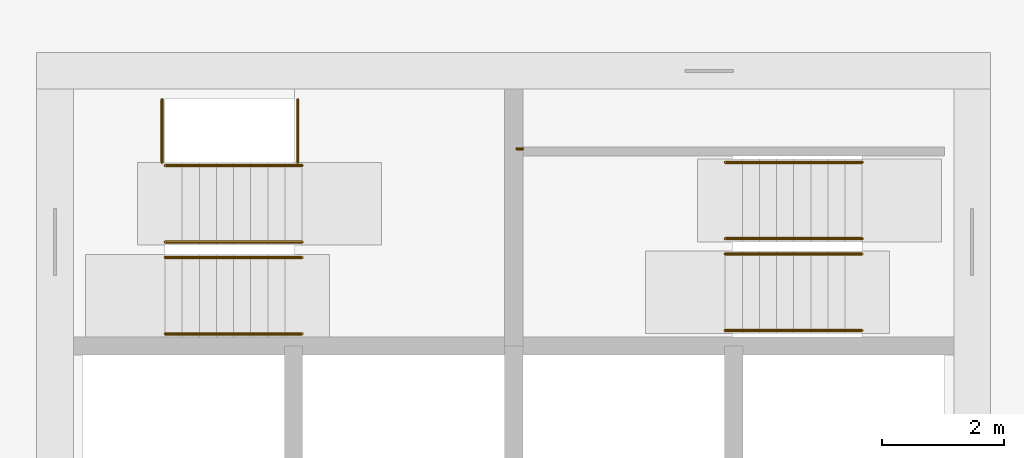
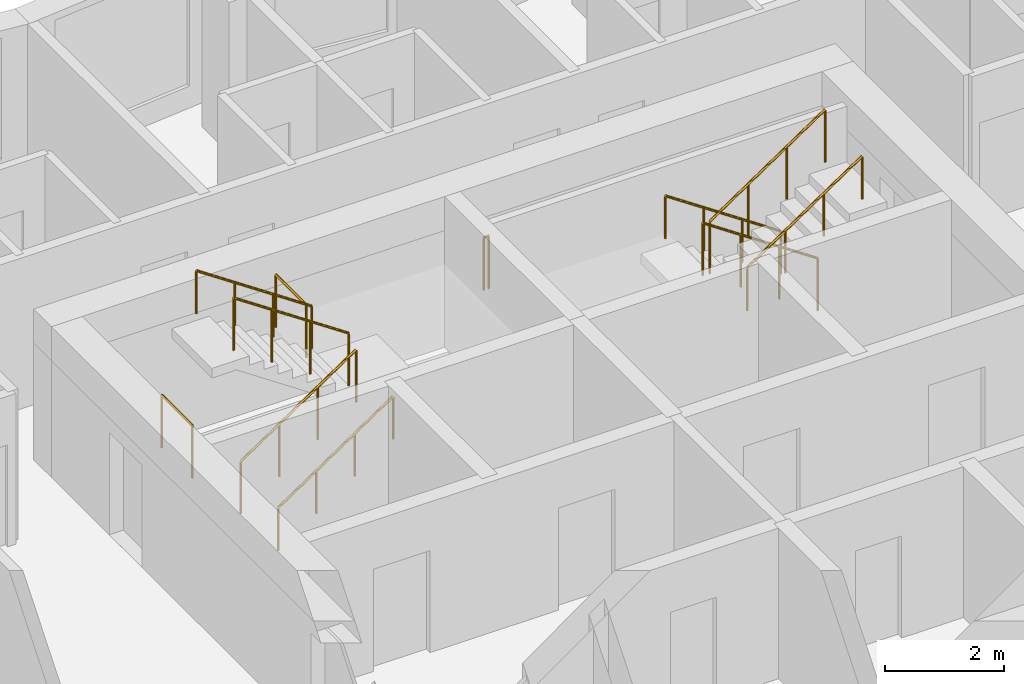
# One storey, part 11 of 12: 11 railings.
"""IFC4 building model written with IfcOpenShell, lengths in metres."""

from ifc_helpers import new_model, si_unit, direction, frame, origin, origin_2d, place, context, subcontext, project, spatial, circle, extrude, material, type_object, element, save


model = new_model("IFC4")

# Units and contexts
model_context = context("Model", 3, precision=1e-05, world=origin(), true_north=direction((0.0, 1.0)))
body_context = subcontext(model_context, "Body", "Model", "MODEL_VIEW")
ifc_project = project(units=[si_unit("LENGTHUNIT", "METRE"), si_unit("AREAUNIT", "SQUARE_METRE"), si_unit("VOLUMEUNIT", "CUBIC_METRE"), si_unit("PLANEANGLEUNIT", "RADIAN"), si_unit("MASSUNIT", "GRAM", prefix="KILO")], contexts=[model_context])

# Site, building, storey
site_placement = place(None, origin())
site = spatial("IfcSite", under=ifc_project, at=site_placement, CompositionType="ELEMENT")
building_placement = place(site_placement, origin())
building = spatial("IfcBuilding", under=site, at=building_placement, Name="Windrow Commons", CompositionType="ELEMENT")
storey_placement = place(building_placement, frame((0.0, 0.0, 145.6)))
storey = spatial("IfcBuildingStorey", under=building, at=storey_placement, Name="L39", CompositionType="ELEMENT", Elevation=145.6)

# Railings
ifc_material_1 = material(Name="Steel S355", Category="steel")
railing_type_1 = type_object("IfcRailingType", Name="Core stair guard 1100", PredefinedType="GUARDRAIL", material=ifc_material_1)
railing_1_placement = place(storey_placement, frame((59.1, 62.05, 0.1889)))
element("IfcRailing", 1, at=railing_1_placement, inside=storey, type_object=railing_type_1, Name="L39 ST-A1 stair guard 1", PredefinedType="GUARDRAIL", context=body_context, shape_type="SweptSolid", body=[
    extrude(circle(Radius=0.024, at=origin_2d()), frame((0.0, 0.0, 1.076), z_axis=(0.8290030985, 0.0, 0.5592440099), x_axis=(0.0, 1.0, 0.0)), (0.0, 0.0, 1.0), 2.702),
    extrude(circle(Radius=0.021, at=origin_2d()), origin(), (0.0, 0.0, 1.0), 1.052),
    extrude(circle(Radius=0.021, at=origin_2d()), frame((0.7467, 0.0, 0.5037)), (0.0, 0.0, 1.0), 1.052),
    extrude(circle(Radius=0.021, at=origin_2d()), frame((1.4933, 0.0, 1.0074)), (0.0, 0.0, 1.0), 1.052),
    extrude(circle(Radius=0.021, at=origin_2d()), frame((2.24, 0.0, 1.5111)), (0.0, 0.0, 1.0), 1.052),
])
railing_2_placement = place(storey_placement, frame((61.34, 62.3, 1.8889)))
element("IfcRailing", 2, at=railing_2_placement, inside=storey, type_object=railing_type_1, Name="L39 ST-A1 stair guard 2", PredefinedType="GUARDRAIL", context=body_context, shape_type="SweptSolid", body=[
    extrude(circle(Radius=0.024, at=origin_2d()), frame((0.0, 0.0, 1.076), z_axis=(-0.8290030985, 0.0, 0.5592440099), x_axis=(0.0, -1.0, 0.0)), (0.0, 0.0, 1.0), 2.702),
    extrude(circle(Radius=0.021, at=origin_2d()), origin(), (0.0, 0.0, 1.0), 1.052),
    extrude(circle(Radius=0.021, at=origin_2d()), frame((-0.7467, 0.0, 0.5037)), (0.0, 0.0, 1.0), 1.052),
    extrude(circle(Radius=0.021, at=origin_2d()), frame((-1.4933, 0.0, 1.0074)), (0.0, 0.0, 1.0), 1.052),
    extrude(circle(Radius=0.021, at=origin_2d()), frame((-2.24, 0.0, 1.5111)), (0.0, 0.0, 1.0), 1.052),
])
for number, where, name in (
    (3, (59.05, 63.6, 0.0), "L39 ST-A1 stair guard 3"),
    (4, (61.27, 63.6, 1.7), "L39 ST-A1 stair guard 4"),
):
    element("IfcRailing", number, at=place(storey_placement, frame(where)), inside=storey, type_object=railing_type_1, Name=name, PredefinedType="GUARDRAIL", context=body_context, shape_type="SweptSolid", body=[
        extrude(circle(Radius=0.024, at=origin_2d()), frame((0.0, 0.0, 1.076), z_axis=(0.0, 1.0, 0.0), x_axis=(-1.0, 0.0, 0.0)), (0.0, 0.0, 1.0), 1.03),
        extrude(circle(Radius=0.021, at=origin_2d()), origin(), (0.0, 0.0, 1.0), 1.052),
        extrude(circle(Radius=0.021, at=origin_2d()), frame((0.0, 1.03, 0.0)), (0.0, 0.0, 1.0), 1.052),
    ])
railing_3_placement = place(storey_placement, frame((70.5, 62.355, 0.1889)))
element("IfcRailing", 5, at=railing_3_placement, inside=storey, type_object=railing_type_1, Name="L39 ST-A2 stair guard 1", PredefinedType="GUARDRAIL", context=body_context, shape_type="SweptSolid", body=[
    extrude(circle(Radius=0.024, at=origin_2d()), frame((0.0, 0.0, 1.076), z_axis=(-0.8290030985, 0.0, 0.5592440099), x_axis=(0.0, -1.0, 0.0)), (0.0, 0.0, 1.0), 2.702),
    extrude(circle(Radius=0.021, at=origin_2d()), origin(), (0.0, 0.0, 1.0), 1.052),
    extrude(circle(Radius=0.021, at=origin_2d()), frame((-0.7467, 0.0, 0.5037)), (0.0, 0.0, 1.0), 1.052),
    extrude(circle(Radius=0.021, at=origin_2d()), frame((-1.4933, 0.0, 1.0074)), (0.0, 0.0, 1.0), 1.052),
    extrude(circle(Radius=0.021, at=origin_2d()), frame((-2.24, 0.0, 1.5111)), (0.0, 0.0, 1.0), 1.052),
])
railing_4_placement = place(storey_placement, frame((68.26, 62.105, 1.8889)))
element("IfcRailing", 6, at=railing_4_placement, inside=storey, type_object=railing_type_1, Name="L39 ST-A2 stair guard 2", PredefinedType="GUARDRAIL", context=body_context, shape_type="SweptSolid", body=[
    extrude(circle(Radius=0.024, at=origin_2d()), frame((0.0, 0.0, 1.076), z_axis=(0.8290030985, 0.0, 0.5592440099), x_axis=(0.0, 1.0, 0.0)), (0.0, 0.0, 1.0), 2.702),
    extrude(circle(Radius=0.021, at=origin_2d()), origin(), (0.0, 0.0, 1.0), 1.052),
    extrude(circle(Radius=0.021, at=origin_2d()), frame((0.7467, 0.0, 0.5037)), (0.0, 0.0, 1.0), 1.052),
    extrude(circle(Radius=0.021, at=origin_2d()), frame((1.4933, 0.0, 1.0074)), (0.0, 0.0, 1.0), 1.052),
    extrude(circle(Radius=0.021, at=origin_2d()), frame((2.24, 0.0, 1.5111)), (0.0, 0.0, 1.0), 1.052),
])
railing_5_placement = place(storey_placement, frame((64.95, 63.825, 1.7)))
element("IfcRailing", 7, at=railing_5_placement, inside=storey, type_object=railing_type_1, Name="L39 ST-A2 stair guard 3", PredefinedType="GUARDRAIL", context=body_context, shape_type="SweptSolid", body=[
    extrude(circle(Radius=0.024, at=origin_2d()), frame((0.0, 0.0, 1.076), z_axis=(-1.0, 0.0, 0.0), x_axis=(0.0, -1.0, 0.0)), (0.0, 0.0, 1.0), 0.1),
    extrude(circle(Radius=0.021, at=origin_2d()), origin(), (0.0, 0.0, 1.0), 1.052),
    extrude(circle(Radius=0.021, at=origin_2d()), frame((-0.1, 0.0, 0.0)), (0.0, 0.0, 1.0), 1.052),
])
ifc_material_2 = material(Name="Steel S355", Category="steel")
railing_type_2 = type_object("IfcRailingType", Name="Core stair handrail 900", PredefinedType="HANDRAIL", material=ifc_material_2)
railing_6_placement = place(storey_placement, frame((59.1, 60.8, 0.1889)))
element("IfcRailing", 8, at=railing_6_placement, inside=storey, type_object=railing_type_2, Name="L39 ST-A1 stair handrail 1", PredefinedType="HANDRAIL", context=body_context, shape_type="SweptSolid", body=[
    extrude(circle(Radius=0.024, at=origin_2d()), frame((0.0, 0.0, 0.876), z_axis=(0.8290030985, 0.0, 0.5592440099), x_axis=(0.0, 1.0, 0.0)), (0.0, 0.0, 1.0), 2.702),
    extrude(circle(Radius=0.021, at=origin_2d()), origin(), (0.0, 0.0, 1.0), 0.852),
    extrude(circle(Radius=0.021, at=origin_2d()), frame((0.7467, 0.0, 0.5037)), (0.0, 0.0, 1.0), 0.852),
    extrude(circle(Radius=0.021, at=origin_2d()), frame((1.4933, 0.0, 1.0074)), (0.0, 0.0, 1.0), 0.852),
    extrude(circle(Radius=0.021, at=origin_2d()), frame((2.24, 0.0, 1.5111)), (0.0, 0.0, 1.0), 0.852),
])
for number, where, name in (
    (9, (61.34, 63.55, 1.8889), "L39 ST-A1 stair handrail 2"),
    (10, (70.5, 63.605, 0.1889), "L39 ST-A2 stair handrail 1"),
):
    element("IfcRailing", number, at=place(storey_placement, frame(where)), inside=storey, type_object=railing_type_2, Name=name, PredefinedType="HANDRAIL", context=body_context, shape_type="SweptSolid", body=[
        extrude(circle(Radius=0.024, at=origin_2d()), frame((0.0, 0.0, 0.876), z_axis=(-0.8290030985, 0.0, 0.5592440099), x_axis=(0.0, -1.0, 0.0)), (0.0, 0.0, 1.0), 2.702),
        extrude(circle(Radius=0.021, at=origin_2d()), origin(), (0.0, 0.0, 1.0), 0.852),
        extrude(circle(Radius=0.021, at=origin_2d()), frame((-0.7467, 0.0, 0.5037)), (0.0, 0.0, 1.0), 0.852),
        extrude(circle(Radius=0.021, at=origin_2d()), frame((-1.4933, 0.0, 1.0074)), (0.0, 0.0, 1.0), 0.852),
        extrude(circle(Radius=0.021, at=origin_2d()), frame((-2.24, 0.0, 1.5111)), (0.0, 0.0, 1.0), 0.852),
    ])
railing_7_placement = place(storey_placement, frame((68.26, 60.855, 1.8889)))
element("IfcRailing", 11, at=railing_7_placement, inside=storey, type_object=railing_type_2, Name="L39 ST-A2 stair handrail 2", PredefinedType="HANDRAIL", context=body_context, shape_type="SweptSolid", body=[
    extrude(circle(Radius=0.024, at=origin_2d()), frame((0.0, 0.0, 0.876), z_axis=(0.8290030985, 0.0, 0.5592440099), x_axis=(0.0, 1.0, 0.0)), (0.0, 0.0, 1.0), 2.702),
    extrude(circle(Radius=0.021, at=origin_2d()), origin(), (0.0, 0.0, 1.0), 0.852),
    extrude(circle(Radius=0.021, at=origin_2d()), frame((0.7467, 0.0, 0.5037)), (0.0, 0.0, 1.0), 0.852),
    extrude(circle(Radius=0.021, at=origin_2d()), frame((1.4933, 0.0, 1.0074)), (0.0, 0.0, 1.0), 0.852),
    extrude(circle(Radius=0.021, at=origin_2d()), frame((2.24, 0.0, 1.5111)), (0.0, 0.0, 1.0), 0.852),
])

save(model, "model.ifc")
